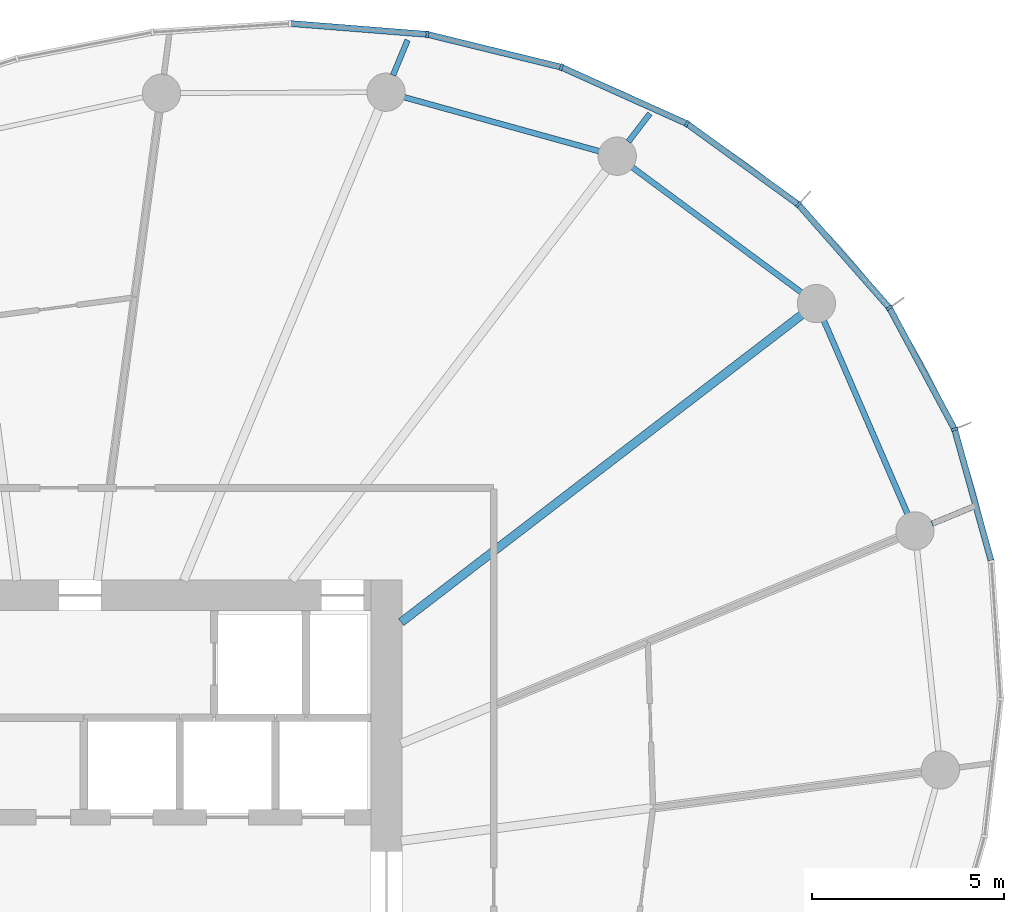
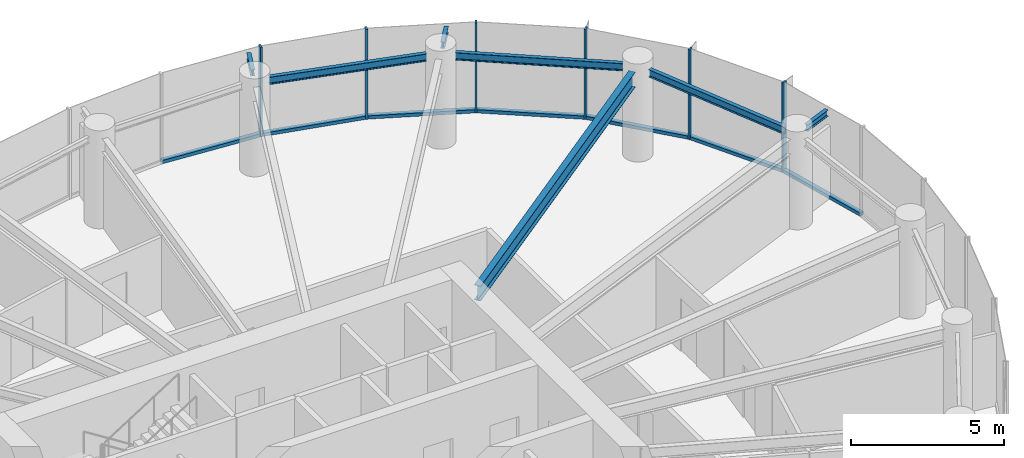
# One storey, part 6 of 14: 13 members, 7 beams, 2 elements without a shape of their own.
"""IFC4 building model written with IfcOpenShell, lengths in metres."""

from ifc_helpers import new_model, si_unit, direction, frame, origin, origin_2d, place, context, subcontext, project, spatial, rectangle, i_section, extrude, source, transform, mapped, material, layer, layer_set, material_profile, profile_set, type_object, element, aggregate, save


model = new_model("IFC4")

# Units and contexts
model_context = context("Model", 3, precision=1e-05, world=origin(), true_north=direction((0.0, 1.0)))
body_context = subcontext(model_context, "Body", "Model", "MODEL_VIEW")
ifc_project = project(units=[si_unit("LENGTHUNIT", "METRE"), si_unit("AREAUNIT", "SQUARE_METRE"), si_unit("VOLUMEUNIT", "CUBIC_METRE"), si_unit("PLANEANGLEUNIT", "RADIAN"), si_unit("MASSUNIT", "GRAM", prefix="KILO")], contexts=[model_context])

# Site, building, storey
site_placement = place(None, origin())
site = spatial("IfcSite", under=ifc_project, at=site_placement, CompositionType="ELEMENT")
building_placement = place(site_placement, origin())
building = spatial("IfcBuilding", under=site, at=building_placement, Name="Spindrift Exchange Tower", CompositionType="ELEMENT")
storey_placement = place(building_placement, frame((0.0, 0.0, 152.60009765625)))
storey = spatial("IfcBuildingStorey", under=building, at=storey_placement, Name="L36", CompositionType="ELEMENT", Elevation=152.60009765625)

# Beams
ifc_material_1 = material(Name="Steel Grade 300", Category="steel")
ifc_material_profile_1 = material_profile(ifc_material_1, i_section(OverallWidth=0.14599609375, OverallDepth=0.251953125, WebThickness=0.006103515625, FlangeThickness=0.008544921875, FilletRadius=0.011962890625, at=origin_2d()), Name="250UB31.4")
ifc_profile_set_1 = profile_set([ifc_material_profile_1], Name="Steel Grade 300")
beam_type_1 = type_object("IfcBeamType", Name="Cantilever Beam 250UB31.4 Steel Grade 300", PredefinedType="BEAM", material=ifc_profile_set_1)
shared_shape_1 = source(origin(), body_context, "Body", "SweptSolid", [
    extrude(i_section(OverallWidth=0.14599609375, OverallDepth=0.251953125, WebThickness=0.006103515625, FlangeThickness=0.008544921875, FilletRadius=0.011962890625, at=origin_2d()), origin(), (0.0, 0.0, 1.0), 0.92138671875),
])
beam_1_placement = place(storey_placement, frame((66.9169921875, 67.440185546875, 3.453857421875), z_axis=(0.60869854627, 0.793401587955, 0.0), x_axis=(-0.793401587955, 0.60869854627, 0.0)))
element("IfcBeam", 1, at=beam_1_placement, inside=storey, type_object=beam_type_1, Name="L36 cantilever beam R04T", PredefinedType="BEAM", context=body_context, shape_type="MappedRepresentation", body=[
    mapped(shared_shape_1, transform((0.0, 0.0, 0.0), scale=1.0)),
])
ifc_material_profile_2 = material_profile(ifc_material_1, i_section(OverallWidth=0.14892578125, OverallDepth=0.298095703125, WebThickness=0.005615234375, FlangeThickness=0.008056640625, FilletRadius=0.012939453125, at=origin_2d()), Name="310UB32.0")
ifc_profile_set_2 = profile_set([ifc_material_profile_2], Name="Steel Grade 300")
beam_type_2 = type_object("IfcBeamType", Name="Edge Beam 310UB32.0 Steel Grade 300", PredefinedType="SPANDREL", material=ifc_profile_set_2)
shared_shape_2 = source(origin(), body_context, "Body", "SweptSolid", [
    extrude(i_section(OverallWidth=0.14892578125, OverallDepth=0.298095703125, WebThickness=0.005615234375, FlangeThickness=0.008056640625, FilletRadius=0.012939453125, at=origin_2d()), origin(), (0.0, 0.0, 1.0), 5.508544921875),
])
beam_2_placement = place(storey_placement, frame((74.205810546875, 57.717529296875, 3.430908203125), z_axis=(-0.397414644433, 0.917639144975, 0.0), x_axis=(-0.917639144975, -0.397414644433, 0.0)))
element("IfcBeam", 2, at=beam_2_placement, inside=storey, type_object=beam_type_2, Name="L36 edge beam E02", PredefinedType="SPANDREL", context=body_context, shape_type="MappedRepresentation", body=[
    mapped(shared_shape_2, transform((0.0, 0.0, 0.0), scale=1.0)),
])
shared_shape_3 = source(origin(), body_context, "Body", "SweptSolid", [
    extrude(i_section(OverallWidth=0.14892578125, OverallDepth=0.298095703125, WebThickness=0.005615234375, FlangeThickness=0.008056640625, FilletRadius=0.012939453125, at=origin_2d()), origin(), (0.0, 0.0, 1.0), 5.509033203125),
])
beam_3_placement = place(storey_placement, frame((71.43994140625, 63.498291015625, 3.430908203125), z_axis=(-0.803991901791, 0.594640245741, 0.0), x_axis=(-0.594640245741, -0.803991901791, 0.0)))
element("IfcBeam", 3, at=beam_3_placement, inside=storey, type_object=beam_type_2, Name="L36 edge beam E03", PredefinedType="SPANDREL", context=body_context, shape_type="MappedRepresentation", body=[
    mapped(shared_shape_3, transform((0.0, 0.0, 0.0), scale=1.0)),
])
shared_shape_4 = source(origin(), body_context, "Body", "SweptSolid", [
    extrude(i_section(OverallWidth=0.14892578125, OverallDepth=0.298095703125, WebThickness=0.005615234375, FlangeThickness=0.008056640625, FilletRadius=0.012939453125, at=origin_2d()), origin(), (0.0, 0.0, 1.0), 5.30517578125),
])
beam_4_placement = place(storey_placement, frame((66.162353515625, 67.1875, 3.430908203125), z_axis=(-0.963757513624, 0.26677978734, 0.0), x_axis=(-0.26677978734, -0.963757513624, 0.0)))
element("IfcBeam", 4, at=beam_4_placement, inside=storey, type_object=beam_type_2, Name="L36 edge beam E04", PredefinedType="SPANDREL", context=body_context, shape_type="MappedRepresentation", body=[
    mapped(shared_shape_4, transform((0.0, 0.0, 0.0), scale=1.0)),
])
ifc_material_profile_3 = material_profile(ifc_material_1, i_section(OverallWidth=0.22802734375, OverallDepth=0.60205078125, WebThickness=0.010498046875, FlangeThickness=0.014892578125, FilletRadius=0.013916015625, at=origin_2d()), Name="610UB101")
ifc_profile_set_3 = profile_set([ifc_material_profile_3], Name="Steel Grade 300")
beam_type_3 = type_object("IfcBeamType", Name="Floor Beam 610UB101 Steel Grade 300", PredefinedType="BEAM", material=ifc_profile_set_3)
shared_shape_5 = source(origin(), body_context, "Body", "SweptSolid", [
    extrude(i_section(OverallWidth=0.22802734375, OverallDepth=0.60205078125, WebThickness=0.010498046875, FlangeThickness=0.014892578125, FilletRadius=0.013916015625, at=origin_2d()), origin(), (0.0, 0.0, 1.0), 13.185546875),
])
beam_5_placement = place(storey_placement, frame((60.984130859375, 54.893798828125, 3.27880859375), z_axis=(0.793357156703, 0.608756455332, 0.0), x_axis=(-0.608756455332, 0.793357156703, 0.0)))
element("IfcBeam", 5, at=beam_5_placement, inside=storey, type_object=beam_type_3, Name="L36 radial beam R03A", PredefinedType="BEAM", context=body_context, shape_type="MappedRepresentation", body=[
    mapped(shared_shape_5, transform((0.0, 0.0, 0.0), scale=1.0)),
])
shared_shape_6 = source(origin(), body_context, "Body", "SweptSolid", [
    extrude(i_section(OverallWidth=0.14599609375, OverallDepth=0.251953125, WebThickness=0.006103515625, FlangeThickness=0.008544921875, FilletRadius=0.011962890625, at=origin_2d()), origin(), (0.0, 0.0, 1.0), 1.1044921875),
])
beam_6_placement = place(storey_placement, frame((74.840087890625, 57.460693359375, 3.453857421875), z_axis=(0.923911779543, 0.382605571864, 0.0), x_axis=(-0.382605571864, 0.923911779543, 0.0)))
element("IfcBeam", 6, at=beam_6_placement, inside=storey, type_object=beam_type_1, Name="L36 cantilever beam R02T", PredefinedType="BEAM", context=body_context, shape_type="MappedRepresentation", body=[
    mapped(shared_shape_6, transform((0.0, 0.0, 0.0), scale=1.0)),
])
shared_shape_7 = source(origin(), body_context, "Body", "SweptSolid", [
    extrude(i_section(OverallWidth=0.14599609375, OverallDepth=0.251953125, WebThickness=0.006103515625, FlangeThickness=0.008544921875, FilletRadius=0.011962890625, at=origin_2d()), origin(), (0.0, 0.0, 1.0), 0.99267578125),
])
beam_7_placement = place(storey_placement, frame((60.770751953125, 69.17431640625, 3.453857421875), z_axis=(0.382728331332, 0.923860933472, 0.0), x_axis=(-0.923860933472, 0.382728331332, 0.0)))
element("IfcBeam", 7, at=beam_7_placement, inside=storey, type_object=beam_type_1, Name="L36 cantilever beam R05T", PredefinedType="BEAM", context=body_context, shape_type="MappedRepresentation", body=[
    mapped(shared_shape_7, transform((0.0, 0.0, 0.0), scale=1.0)),
])

# Curtain wall, members
ifc_material_2 = material(Name="Fritted laminated glass with bronze frame", Category="glass")
ifc_layer = layer(ifc_material_2, 0.179931640625)
ifc_layer_set = layer_set([ifc_layer], Name="ZONE 3 BRONZE FRITTED WALL")
curtain_wall_type = type_object("IfcCurtainWallType", Name="ZONE 3 BRONZE FRITTED WALL", PredefinedType="NOTDEFINED", material=ifc_layer_set)
curtain_wall_1_placement = place(storey_placement, origin())
curtain_wall_1 = element("IfcCurtainWall", 8, at=curtain_wall_1_placement, inside=storey, type_object=curtain_wall_type, Name="L36 Zone 3 Bronze Fritted Wall run 1", PredefinedType="NOTDEFINED")
ifc_material_3 = material(Name="Bronze anodised aluminium", Category="aluminium")
ifc_material_profile_4 = material_profile(ifc_material_3, rectangle(XDim=0.070068359375, YDim=0.179931640625, at=origin_2d()), Name="ZONE 3 BRONZE FRITTED WALL MULLION 70X180")
ifc_profile_set_4 = profile_set([ifc_material_profile_4], Name="Bronze anodised aluminium")
member_type_1 = type_object("IfcMemberType", Name="ZONE 3 BRONZE FRITTED WALL MULLION 70X180", PredefinedType="MULLION", material=ifc_profile_set_4)
shared_shape_8 = source(origin(), body_context, "Body", "SweptSolid", [
    extrude(rectangle(XDim=0.070068359375, YDim=0.179931640625, at=origin_2d()), origin(), (0.0, 0.0, 1.0), 3.579833984375),
])
member_1_placement = place(storey_placement, frame((73.730224609375, 63.10009765625, 0.0), z_axis=(0.0, 0.0, 1.0), x_axis=(-0.570626908797, 0.821209431848, 0.0)))
member_1 = element("IfcMember", 9, at=member_1_placement, type_object=member_type_1, Name="L36 mullion CW-3.1", PredefinedType="MULLION", context=body_context, shape_type="MappedRepresentation", body=[
    mapped(shared_shape_8, transform((0.0, 0.0, 0.0), scale=1.0)),
])
member_2_placement = place(storey_placement, frame((71.355224609375, 65.798583984375, 0.0), z_axis=(0.0, 0.0, 1.0), x_axis=(-0.73976391823, 0.672866513719, 0.0)))
member_2 = element("IfcMember", 10, at=member_2_placement, type_object=member_type_1, Name="L36 mullion CW-3.2", PredefinedType="MULLION", context=body_context, shape_type="MappedRepresentation", body=[
    mapped(shared_shape_8, transform((0.0, 0.0, 0.0), scale=1.0)),
])
member_3_placement = place(storey_placement, frame((68.443603515625, 67.908203125, 0.0), z_axis=(0.0, 0.0, 1.0), x_axis=(-0.86539549749, 0.501089446031, 0.0)))
member_3 = element("IfcMember", 11, at=member_3_placement, type_object=member_type_1, Name="L36 mullion CW-3.3", PredefinedType="MULLION", context=body_context, shape_type="MappedRepresentation", body=[
    mapped(shared_shape_8, transform((0.0, 0.0, 0.0), scale=1.0)),
])
member_4_placement = place(storey_placement, frame((65.163330078125, 69.3837890625, 0.0), z_axis=(0.0, 0.0, 1.0), x_axis=(-0.945554560129, 0.325463629027, 0.0)))
member_4 = element("IfcMember", 12, at=member_4_placement, type_object=member_type_1, Name="L36 mullion CW-3.4", PredefinedType="MULLION", context=body_context, shape_type="MappedRepresentation", body=[
    mapped(shared_shape_8, transform((0.0, 0.0, 0.0), scale=1.0)),
])
member_5_placement = place(storey_placement, frame((61.668701171875, 70.240234375, 0.0), z_axis=(0.0, 0.0, 1.0), x_axis=(-0.987248937341, 0.159183968162, 0.0)))
member_5 = element("IfcMember", 13, at=member_5_placement, type_object=member_type_1, Name="L36 mullion CW-3.5", PredefinedType="MULLION", context=body_context, shape_type="MappedRepresentation", body=[
    mapped(shared_shape_8, transform((0.0, 0.0, 0.0), scale=1.0)),
])

# Curtain wall, member
curtain_wall_2_placement = place(storey_placement, origin())
curtain_wall_2 = element("IfcCurtainWall", 14, at=curtain_wall_2_placement, inside=storey, type_object=curtain_wall_type, Name="L36 Zone 3 Bronze Fritted Wall run 7", PredefinedType="NOTDEFINED")
member_6_placement = place(storey_placement, frame((75.430908203125, 59.93310546875, 0.0), z_axis=(0.0, 0.0, 1.0), x_axis=(-0.372632011007, 0.927979193933, 0.0)))
member_6 = element("IfcMember", 15, at=member_6_placement, type_object=member_type_1, Name="L36 mullion CW-3.41", PredefinedType="MULLION", context=body_context, shape_type="MappedRepresentation", body=[
    mapped(shared_shape_8, transform((0.0, 0.0, 0.0), scale=1.0)),
])

# Member
ifc_material_profile_5 = material_profile(ifc_material_3, rectangle(XDim=0.159912109375, YDim=0.1298828125, at=origin_2d()), Name="ZONE 3 BRONZE FRITTED WALL TRANSOM 160X130")
ifc_profile_set_5 = profile_set([ifc_material_profile_5], Name="Bronze anodised aluminium")
member_type_2 = type_object("IfcMemberType", Name="ZONE 3 BRONZE FRITTED WALL TRANSOM 160X130", PredefinedType="USERDEFINED", material=ifc_profile_set_5)
shared_shape_9 = source(origin(), body_context, "Body", "SweptSolid", [
    extrude(rectangle(XDim=0.159912109375, YDim=0.1298828125, at=origin_2d()), origin(), (0.0, 0.0, 1.0), 3.524658203125),
])
member_7_placement = place(storey_placement, frame((73.70703125, 63.126220703125, 0.06494140625), z_axis=(-0.660649754627, 0.750694279791, 0.0), x_axis=(-0.750694279791, -0.660649754627, 0.0)))
member_7 = element("IfcMember", 16, at=member_7_placement, type_object=member_type_2, Name="L36 transom CW-3.1", ObjectType="TRANSOM", PredefinedType="USERDEFINED", context=body_context, shape_type="MappedRepresentation", body=[
    mapped(shared_shape_9, transform((0.0, 0.0, 0.0), scale=1.0)),
])

member_8_placement = place(storey_placement, frame((75.41455078125, 59.9638671875, 0.06494140625), z_axis=(-0.473149535638, 0.880982132013, 0.0), x_axis=(-0.880982132013, -0.473149535638, 0.0)))
member_8 = element("IfcMember", 17, at=member_8_placement, type_object=member_type_2, Name="L36 transom CW-3.41", ObjectType="TRANSOM", PredefinedType="USERDEFINED", context=body_context, shape_type="MappedRepresentation", body=[
    mapped(shared_shape_9, transform((0.0, 0.0, 0.0), scale=1.0)),
])

shared_shape_10 = source(origin(), body_context, "Body", "SweptSolid", [
    extrude(rectangle(XDim=0.159912109375, YDim=0.1298828125, at=origin_2d()), origin(), (0.0, 0.0, 1.0), 3.525390625),
])
member_9_placement = place(storey_placement, frame((76.383544921875, 56.502197265625, 0.06494140625), z_axis=(-0.26751528139, 0.963553617721, 0.0), x_axis=(-0.963553617721, -0.26751528139, 0.0)))
member_9 = element("IfcMember", 18, at=member_9_placement, type_object=member_type_2, Name="L36 transom CW-3.40", ObjectType="TRANSOM", PredefinedType="USERDEFINED", context=body_context, shape_type="MappedRepresentation", body=[
    mapped(shared_shape_10, transform((0.0, 0.0, 0.0), scale=1.0)),
])

aggregate(curtain_wall_2, [member_9, member_6, member_8])

shared_shape_11 = source(origin(), body_context, "Body", "SweptSolid", [
    extrude(rectangle(XDim=0.159912109375, YDim=0.1298828125, at=origin_2d()), origin(), (0.0, 0.0, 1.0), 3.528076171875),
])
member_10_placement = place(storey_placement, frame((65.12939453125, 69.39208984375, 0.06494140625), z_axis=(-0.97125553348, 0.238039258704, 0.0), x_axis=(-0.238039258704, -0.97125553348, 0.0)))
member_10 = element("IfcMember", 19, at=member_10_placement, type_object=member_type_2, Name="L36 transom CW-3.4", ObjectType="TRANSOM", PredefinedType="USERDEFINED", context=body_context, shape_type="MappedRepresentation", body=[
    mapped(shared_shape_11, transform((0.0, 0.0, 0.0), scale=1.0)),
])

shared_shape_12 = source(origin(), body_context, "Body", "SweptSolid", [
    extrude(rectangle(XDim=0.159912109375, YDim=0.1298828125, at=origin_2d()), origin(), (0.0, 0.0, 1.0), 3.529052734375),
])
member_11_placement = place(storey_placement, frame((61.6337890625, 70.242919921875, 0.06494140625), z_axis=(-0.99685256237, 0.07927779573, 0.0), x_axis=(-0.07927779573, -0.99685256237, 0.0)))
member_11 = element("IfcMember", 20, at=member_11_placement, type_object=member_type_2, Name="L36 transom CW-3.5", ObjectType="TRANSOM", PredefinedType="USERDEFINED", context=body_context, shape_type="MappedRepresentation", body=[
    mapped(shared_shape_12, transform((0.0, 0.0, 0.0), scale=1.0)),
])

shared_shape_13 = source(origin(), body_context, "Body", "SweptSolid", [
    extrude(rectangle(XDim=0.159912109375, YDim=0.1298828125, at=origin_2d()), origin(), (0.0, 0.0, 1.0), 3.52685546875),
])
member_12_placement = place(storey_placement, frame((68.411865234375, 67.922607421875, 0.06494140625), z_axis=(-0.911992727656, 0.410206368432, 0.0), x_axis=(-0.410206368432, -0.911992727656, 0.0)))
member_12 = element("IfcMember", 21, at=member_12_placement, type_object=member_type_2, Name="L36 transom CW-3.3", ObjectType="TRANSOM", PredefinedType="USERDEFINED", context=body_context, shape_type="MappedRepresentation", body=[
    mapped(shared_shape_13, transform((0.0, 0.0, 0.0), scale=1.0)),
])

shared_shape_14 = source(origin(), body_context, "Body", "SweptSolid", [
    extrude(rectangle(XDim=0.159912109375, YDim=0.1298828125, at=origin_2d()), origin(), (0.0, 0.0, 1.0), 3.525634765625),
])
member_13_placement = place(storey_placement, frame((71.326904296875, 65.819091796875, 0.06494140625), z_axis=(-0.809779882967, 0.586733790694, 0.0), x_axis=(-0.586733790694, -0.809779882967, 0.0)))
member_13 = element("IfcMember", 22, at=member_13_placement, type_object=member_type_2, Name="L36 transom CW-3.2", ObjectType="TRANSOM", PredefinedType="USERDEFINED", context=body_context, shape_type="MappedRepresentation", body=[
    mapped(shared_shape_14, transform((0.0, 0.0, 0.0), scale=1.0)),
])

aggregate(curtain_wall_1, [member_1, member_7, member_2, member_13, member_3, member_12, member_4, member_10, member_5, member_11])

save(model, "model.ifc")
